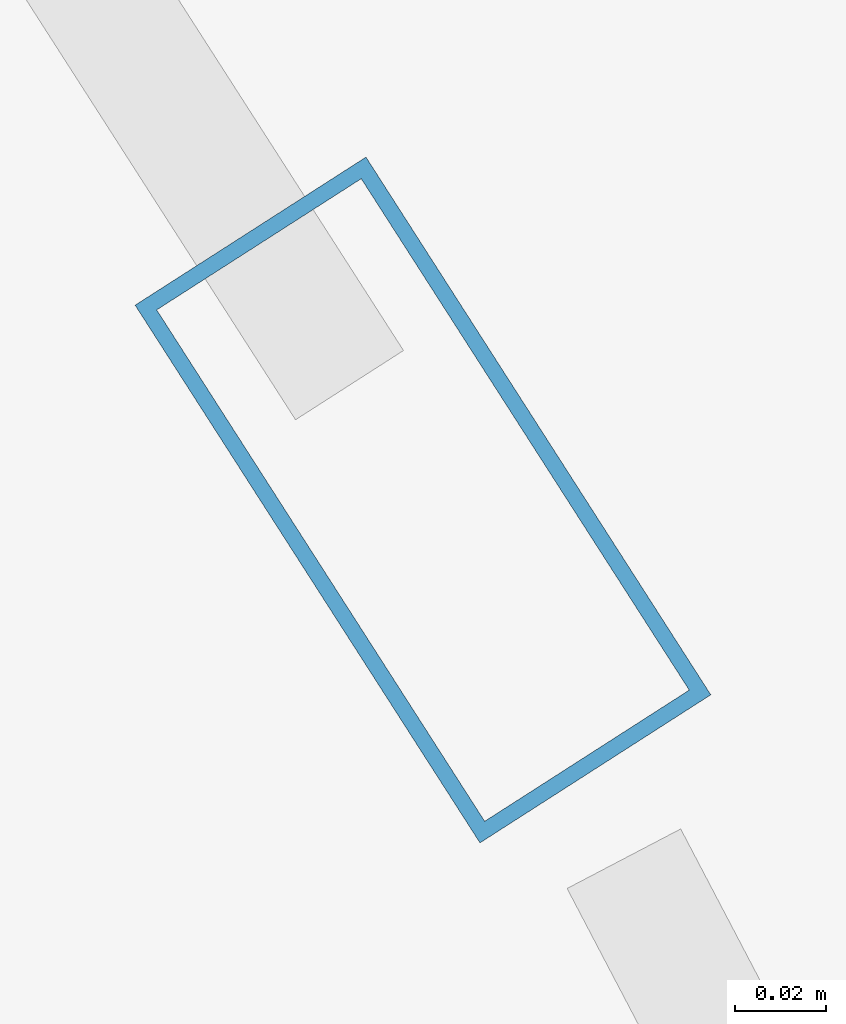
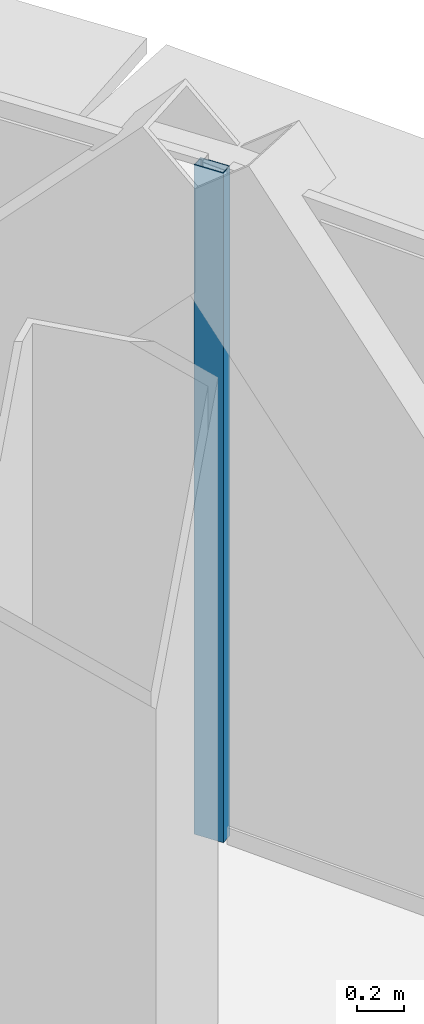
# One storey, part 23 of 37: 1 member, 1 element without a shape of its own.
"""IFC4 building model written with IfcOpenShell, lengths in metres."""

from ifc_helpers import new_model, si_unit, direction, frame, origin, origin_2d, place, context, subcontext, project, spatial, hollow_rectangle, extrude, source, transform, mapped, material, layer, layer_set, material_profile, profile_set, type_object, element, aggregate, save


model = new_model("IFC4")

# Units and contexts
model_context = context("Model", 3, precision=1e-05, world=origin(), true_north=direction((0.0, 1.0)))
body_context = subcontext(model_context, "Body", "Model", "MODEL_VIEW")
ifc_project = project(units=[si_unit("LENGTHUNIT", "METRE"), si_unit("AREAUNIT", "SQUARE_METRE"), si_unit("VOLUMEUNIT", "CUBIC_METRE"), si_unit("PLANEANGLEUNIT", "RADIAN"), si_unit("MASSUNIT", "GRAM", prefix="KILO"), si_unit("THERMODYNAMICTEMPERATUREUNIT", "KELVIN"), si_unit("POWERUNIT", "WATT")], contexts=[model_context])

# Site, building, storey
site_placement = place(None, origin())
site = spatial("IfcSite", under=ifc_project, at=site_placement, CompositionType="ELEMENT")
building_placement = place(site_placement, origin())
building = spatial("IfcBuilding", under=site, at=building_placement, Name="Yunzhuo Pagoda Commons", CompositionType="ELEMENT")
storey_placement = place(building_placement, frame((0.0, 0.0, 251.989990234375)))
storey = spatial("IfcBuildingStorey", under=building, at=storey_placement, Name="L63", CompositionType="ELEMENT", Elevation=251.989990234375)

# Curtain wall, member
ifc_material = material(Name="Anodized aluminium 6063-T6", Category="aluminium")
ifc_layer = layer(ifc_material, 0.139892578125)
ifc_layer_set = layer_set([ifc_layer], Name="Anodized aluminium 6063-T6")
curtain_wall_type = type_object("IfcCurtainWallType", Name="CW-HI High-Zone Ribbon Curtain Wall", PredefinedType="NOTDEFINED", material=ifc_layer_set)
curtain_wall_placement = place(storey_placement, origin())
curtain_wall = element("IfcCurtainWall", 1, at=curtain_wall_placement, inside=storey, type_object=curtain_wall_type, Name="L63 curtain wall CW-L63-F2B4", PredefinedType="NOTDEFINED")
ifc_material_profile = material_profile(ifc_material, hollow_rectangle(XDim=0.06005859375, YDim=0.139892578125, WallThickness=0.00341796875, at=origin_2d()), Name="Anodized aluminium 6063-T6")
ifc_profile_set = profile_set([ifc_material_profile], Name="Anodized aluminium 6063-T6")
member_type = type_object("IfcMemberType", Name="CW-HI-M Mullion RHS 140x60x3.5", PredefinedType="MULLION", material=ifc_profile_set)
shared_shape = source(origin(), body_context, "Body", "SweptSolid", [
    extrude(hollow_rectangle(XDim=0.06005859375, YDim=0.139892578125, WallThickness=0.00341796875, at=origin_2d()), origin(), (0.0, 0.0, 1.0), 3.469970703125),
])
member_placement = place(storey_placement, frame((69.8857421875, 53.44580078125, 0.0), z_axis=(0.0, 0.0, 1.0), x_axis=(-0.841750083847, -0.539867387738, 0.0)))
member = element("IfcMember", 2, at=member_placement, type_object=member_type, Name="CW mullion 1", PredefinedType="MULLION", context=body_context, shape_type="MappedRepresentation", body=[
    mapped(shared_shape, transform((0.0, 0.0, 0.0), scale=1.0)),
])
aggregate(curtain_wall, [member])

save(model, "model.ifc")
